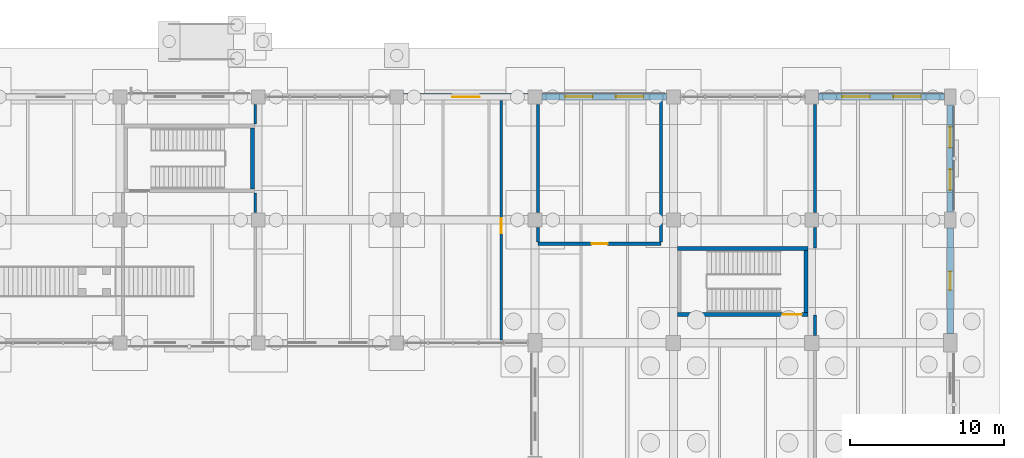
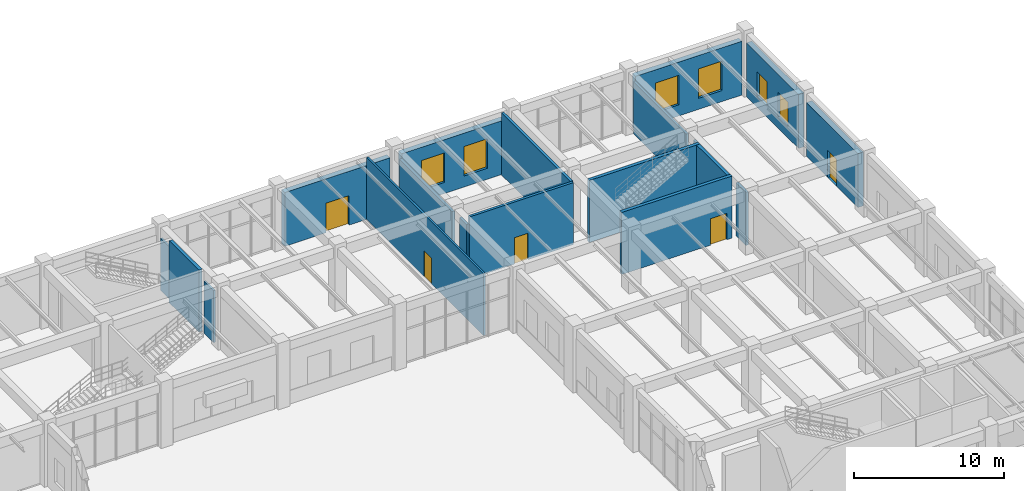
# One storey, part 100 of 121: 19 walls, 6 windows, 5 doors, 11 openings.
"""IFC4 building model written with IfcOpenShell, lengths in metres."""

from ifc_helpers import new_model, si_unit, derived_unit, direction, frame, frame_2d, origin, place, context, subcontext, project, spatial, rectangle, extrude, material, layer, layer_set, type_object, element, fill, save


model = new_model("IFC4")

# Units and contexts
model_context = context("Model", 3, precision=1e-05, world=origin(), true_north=direction((0.0, 1.0)))
body_context = subcontext(model_context, "Body", "Model", "MODEL_VIEW")
ifc_project = project(units=[si_unit("LENGTHUNIT", "METRE"), si_unit("AREAUNIT", "SQUARE_METRE"), si_unit("VOLUMEUNIT", "CUBIC_METRE"), si_unit("PLANEANGLEUNIT", "RADIAN"), si_unit("MASSUNIT", "GRAM", prefix="KILO"), derived_unit("THERMALTRANSMITTANCEUNIT", [(si_unit("MASSUNIT", "GRAM", prefix="KILO"), 1), (si_unit("TIMEUNIT", "SECOND"), -3), (si_unit("THERMODYNAMICTEMPERATUREUNIT", "KELVIN"), -1)])], contexts=[model_context])

# Site, building, storey
site_placement = place(None, origin())
site = spatial("IfcSite", under=ifc_project, at=site_placement, CompositionType="ELEMENT")
building_placement = place(site_placement, origin())
building = spatial("IfcBuilding", under=site, at=building_placement, Name="Zhenchuan Archway Interchange", CompositionType="ELEMENT")
storey_placement = place(building_placement, origin())
storey = spatial("IfcBuildingStorey", under=building, at=storey_placement, Name="L00", CompositionType="ELEMENT", Elevation=0.0)

# Wall, opening, door
ifc_material_1 = material(Name="Granite Stone Cladding", Category="masonry")
ifc_layer_1 = layer(ifc_material_1, 0.419921875)
ifc_layer_set_1 = layer_set([ifc_layer_1], Name="Granite Stone Cladding")
wall_type_1 = type_object("IfcWallType", Name="EW_GRANITE_420", PredefinedType="STANDARD", material=ifc_layer_set_1)
wall_1_placement = place(storey_placement, frame((135.447998046875, 104.0, 0.0), z_axis=(0.0, 0.0, 1.0), x_axis=(1.0, 0.0, 0.0)))
wall_1 = element("IfcWall", 1, at=wall_1_placement, inside=storey, type_object=wall_type_1, Name="Exterior wall L00-061", PredefinedType="STANDARD", context=body_context, shape_type="SweptSolid", body=[
    extrude(rectangle(XDim=8.10400390625, YDim=0.419921875, at=frame_2d((4.052001953125, 0.0))), origin(), (0.0, 0.0, 1.0), 4.3798828125),
])
opening_1_placement = place(wall_1_placement, frame((3.152099609375, 0.0, 0.0)))
opening_1 = element("IfcOpeningElement", 2, at=opening_1_placement, cuts=wall_1, Name="Opening ED-04", PredefinedType="OPENING", context=body_context, shape_type="SweptSolid", body=[
    extrude(rectangle(XDim=1.800048828125, YDim=2.39990234375, at=frame_2d((0.89990234375, 1.199951171875))), frame((0.0, 0.221923828125, 0.0), z_axis=(0.0, -1.0, 0.0), x_axis=(1.0, 0.0, 0.0)), (0.0, 0.0, 1.0), 0.44384765625),
])
ifc_material_2 = material(Name="Anodised Aluminium", Category="aluminium")
door_type_1 = type_object("IfcDoorType", Name="ED_ENT_1800x2400", OperationType="DOUBLE_DOOR_SINGLE_SWING", PredefinedType="DOOR", material=ifc_material_2)
door_1_placement = place(opening_1_placement, origin())
door_1 = element("IfcDoor", 3, at=door_1_placement, inside=storey, type_object=door_type_1, Name="Exterior entrance door L00-026", OperationType="SINGLE_SWING_LEFT", OverallHeight=2.39990234375, OverallWidth=1.800048828125, PredefinedType="DOOR", context=body_context, shape_type="SweptSolid", body=[
    extrude(rectangle(XDim=1.800048828125, YDim=2.39990234375, at=frame_2d((0.89990234375, 1.199951171875))), frame((0.0, 0.02490234375, 0.0), z_axis=(0.0, -1.0, 0.0), x_axis=(1.0, 0.0, 0.0)), (0.0, 0.0, 1.0), 0.050048828125),
])
fill(opening_1, door_1)

# Wall, openings, windows
wall_2_placement = place(storey_placement, frame((144.447998046875, 104.0, 0.0), z_axis=(0.0, 0.0, 1.0), x_axis=(1.0, 0.0, 0.0)))
wall_2 = element("IfcWall", 4, at=wall_2_placement, inside=storey, type_object=wall_type_1, Name="Exterior wall L00-062", PredefinedType="STANDARD", context=body_context, shape_type="SweptSolid", body=[
    extrude(rectangle(XDim=8.10400390625, YDim=0.419921875, at=frame_2d((4.052001953125, 0.0))), origin(), (0.0, 0.0, 1.0), 4.3798828125),
])
opening_2_placement = place(wall_2_placement, frame((1.501220703125, 0.0, 0.89990234375)))
opening_2 = element("IfcOpeningElement", 5, at=opening_2_placement, cuts=wall_2, Name="Opening W-03", PredefinedType="OPENING", context=body_context, shape_type="SweptSolid", body=[
    extrude(rectangle(XDim=1.800048828125, YDim=2.39990234375, at=frame_2d((0.89990234375, 1.199951171875))), frame((0.0, 0.221923828125, 0.0), z_axis=(0.0, -1.0, 0.0), x_axis=(1.0, 0.0, 0.0)), (0.0, 0.0, 1.0), 0.44384765625),
])
opening_3_placement = place(wall_2_placement, frame((4.802734375, 0.0, 0.89990234375)))
opening_3 = element("IfcOpeningElement", 6, at=opening_3_placement, cuts=wall_2, Name="Opening W-03", PredefinedType="OPENING", context=body_context, shape_type="SweptSolid", body=[
    extrude(rectangle(XDim=1.800048828125, YDim=2.39990234375, at=frame_2d((0.89990234375, 1.199951171875))), frame((0.0, 0.221923828125, 0.0), z_axis=(0.0, -1.0, 0.0), x_axis=(1.0, 0.0, 0.0)), (0.0, 0.0, 1.0), 0.44384765625),
])
ifc_material_3 = material(Name="Double Low-E Insulated Glazing", Category="glass")
window_type_1 = type_object("IfcWindowType", Name="WN_PUNCH_1800x2400", PartitioningType="SINGLE_PANEL", PredefinedType="WINDOW", material=ifc_material_3)
window_1_placement = place(opening_2_placement, origin())
window_1 = element("IfcWindow", 7, at=window_1_placement, inside=storey, type_object=window_type_1, Name="Window L00-0043", OverallHeight=2.39990234375, OverallWidth=1.800048828125, PartitioningType="SINGLE_PANEL", PredefinedType="WINDOW", context=body_context, shape_type="SweptSolid", body=[
    extrude(rectangle(XDim=1.800048828125, YDim=2.39990234375, at=frame_2d((0.89990234375, 1.199951171875))), frame((0.0, 0.030029296875, 0.0), z_axis=(0.0, -1.0, 0.0), x_axis=(1.0, 0.0, 0.0)), (0.0, 0.0, 1.0), 0.06005859375),
])
fill(opening_2, window_1)
window_2_placement = place(opening_3_placement, origin())
window_2 = element("IfcWindow", 8, at=window_2_placement, inside=storey, type_object=window_type_1, Name="Window L00-0044", OverallHeight=2.39990234375, OverallWidth=1.800048828125, PartitioningType="SINGLE_PANEL", PredefinedType="WINDOW", context=body_context, shape_type="SweptSolid", body=[
    extrude(rectangle(XDim=1.800048828125, YDim=2.39990234375, at=frame_2d((0.89990234375, 1.199951171875))), frame((0.0, 0.030029296875, 0.0), z_axis=(0.0, -1.0, 0.0), x_axis=(1.0, 0.0, 0.0)), (0.0, 0.0, 1.0), 0.06005859375),
])
fill(opening_3, window_2)

wall_3_placement = place(storey_placement, frame((162.447998046875, 104.0, 0.0), z_axis=(0.0, 0.0, 1.0), x_axis=(1.0, 0.0, 0.0)))
wall_3 = element("IfcWall", 9, at=wall_3_placement, inside=storey, type_object=wall_type_1, Name="Exterior wall L00-064", PredefinedType="STANDARD", context=body_context, shape_type="SweptSolid", body=[
    extrude(rectangle(XDim=8.178955078125, YDim=0.419921875, at=frame_2d((4.08935546875, 0.0))), origin(), (0.0, 0.0, 1.0), 4.3798828125),
])
opening_4_placement = place(wall_3_placement, frame((1.5263671875, 0.0, 0.89990234375)))
opening_4 = element("IfcOpeningElement", 10, at=opening_4_placement, cuts=wall_3, Name="Opening W-03", PredefinedType="OPENING", context=body_context, shape_type="SweptSolid", body=[
    extrude(rectangle(XDim=1.800048828125, YDim=2.39990234375, at=frame_2d((0.89990234375, 1.199951171875))), frame((0.0, 0.221923828125, 0.0), z_axis=(0.0, -1.0, 0.0), x_axis=(1.0, 0.0, 0.0)), (0.0, 0.0, 1.0), 0.44384765625),
])
opening_5_placement = place(wall_3_placement, frame((4.852783203125, 0.0, 0.89990234375)))
opening_5 = element("IfcOpeningElement", 11, at=opening_5_placement, cuts=wall_3, Name="Opening W-03", PredefinedType="OPENING", context=body_context, shape_type="SweptSolid", body=[
    extrude(rectangle(XDim=1.800048828125, YDim=2.39990234375, at=frame_2d((0.89990234375, 1.199951171875))), frame((0.0, 0.221923828125, 0.0), z_axis=(0.0, -1.0, 0.0), x_axis=(1.0, 0.0, 0.0)), (0.0, 0.0, 1.0), 0.44384765625),
])
window_3_placement = place(opening_4_placement, origin())
window_3 = element("IfcWindow", 12, at=window_3_placement, inside=storey, type_object=window_type_1, Name="Window L00-0045", OverallHeight=2.39990234375, OverallWidth=1.800048828125, PartitioningType="SINGLE_PANEL", PredefinedType="WINDOW", context=body_context, shape_type="SweptSolid", body=[
    extrude(rectangle(XDim=1.800048828125, YDim=2.39990234375, at=frame_2d((0.89990234375, 1.199951171875))), frame((0.0, 0.030029296875, 0.0), z_axis=(0.0, -1.0, 0.0), x_axis=(1.0, 0.0, 0.0)), (0.0, 0.0, 1.0), 0.06005859375),
])
fill(opening_4, window_3)
window_4_placement = place(opening_5_placement, origin())
window_4 = element("IfcWindow", 13, at=window_4_placement, inside=storey, type_object=window_type_1, Name="Window L00-0046", OverallHeight=2.39990234375, OverallWidth=1.800048828125, PartitioningType="SINGLE_PANEL", PredefinedType="WINDOW", context=body_context, shape_type="SweptSolid", body=[
    extrude(rectangle(XDim=1.800048828125, YDim=2.39990234375, at=frame_2d((0.89990234375, 1.199951171875))), frame((0.0, 0.030029296875, 0.0), z_axis=(0.0, -1.0, 0.0), x_axis=(1.0, 0.0, 0.0)), (0.0, 0.0, 1.0), 0.06005859375),
])
fill(opening_5, window_4)

wall_4_placement = place(storey_placement, frame((171.0, 103.47705078125, 0.0), z_axis=(0.0, 0.0, 1.0), x_axis=(0.0, -1.0, 0.0)))
wall_4 = element("IfcWall", 14, at=wall_4_placement, inside=storey, type_object=wall_type_1, Name="Exterior wall L00-065", PredefinedType="STANDARD", context=body_context, shape_type="SweptSolid", body=[
    extrude(rectangle(XDim=6.9541015625, YDim=0.419921875, at=frame_2d((3.47705078125, 0.0))), origin(), (0.0, 0.0, 1.0), 4.3798828125),
])
opening_6_placement = place(wall_4_placement, frame((1.41796875, 0.0, 0.89990234375)))
opening_6 = element("IfcOpeningElement", 15, at=opening_6_placement, cuts=wall_4, Name="Opening W-06", PredefinedType="OPENING", context=body_context, shape_type="SweptSolid", body=[
    extrude(rectangle(XDim=1.35009765625, YDim=2.0, at=frame_2d((0.675048828125, 1.0))), frame((0.0, 0.221923828125, 0.0), z_axis=(0.0, -1.0, 0.0), x_axis=(1.0, 0.0, 0.0)), (0.0, 0.0, 1.0), 0.44384765625),
])
opening_7_placement = place(wall_4_placement, frame((4.18603515625, 0.0, 0.89990234375)))
opening_7 = element("IfcOpeningElement", 16, at=opening_7_placement, cuts=wall_4, Name="Opening W-06", PredefinedType="OPENING", context=body_context, shape_type="SweptSolid", body=[
    extrude(rectangle(XDim=1.35009765625, YDim=2.0, at=frame_2d((0.675048828125, 1.0))), frame((0.0, 0.221923828125, 0.0), z_axis=(0.0, -1.0, 0.0), x_axis=(1.0, 0.0, 0.0)), (0.0, 0.0, 1.0), 0.44384765625),
])
window_type_2 = type_object("IfcWindowType", Name="WN_MOD_1350x2000", PartitioningType="SINGLE_PANEL", PredefinedType="WINDOW", material=ifc_material_3)
window_5_placement = place(opening_6_placement, origin())
window_5 = element("IfcWindow", 17, at=window_5_placement, inside=storey, type_object=window_type_2, Name="Window L00-0047", OverallHeight=2.0, OverallWidth=1.35009765625, PartitioningType="SINGLE_PANEL", PredefinedType="WINDOW", context=body_context, shape_type="SweptSolid", body=[
    extrude(rectangle(XDim=1.35009765625, YDim=2.0, at=frame_2d((0.675048828125, 1.0))), frame((0.0, 0.030029296875, 0.0), z_axis=(0.0, -1.0, 0.0), x_axis=(1.0, 0.0, 0.0)), (0.0, 0.0, 1.0), 0.06005859375),
])
fill(opening_6, window_5)
window_6_placement = place(opening_7_placement, origin())
window_6 = element("IfcWindow", 18, at=window_6_placement, inside=storey, type_object=window_type_2, Name="Window L00-0048", OverallHeight=2.0, OverallWidth=1.35009765625, PartitioningType="SINGLE_PANEL", PredefinedType="WINDOW", context=body_context, shape_type="SweptSolid", body=[
    extrude(rectangle(XDim=1.35009765625, YDim=2.0, at=frame_2d((0.675048828125, 1.0))), frame((0.0, 0.030029296875, 0.0), z_axis=(0.0, -1.0, 0.0), x_axis=(1.0, 0.0, 0.0)), (0.0, 0.0, 1.0), 0.06005859375),
])
fill(opening_7, window_6)

# Wall, opening, door
wall_5_placement = place(storey_placement, frame((171.0, 95.47705078125, 0.0), z_axis=(0.0, 0.0, 1.0), x_axis=(0.0, -1.0, 0.0)))
wall_5 = element("IfcWall", 19, at=wall_5_placement, inside=storey, type_object=wall_type_1, Name="Exterior wall L00-066", PredefinedType="STANDARD", context=body_context, shape_type="SweptSolid", body=[
    extrude(rectangle(XDim=6.879150390625, YDim=0.419921875, at=frame_2d((3.439453125, 0.0))), origin(), (0.0, 0.0, 1.0), 4.3798828125),
])
opening_8_placement = place(wall_5_placement, frame((2.839599609375, 0.0, 0.0)))
opening_8 = element("IfcOpeningElement", 20, at=opening_8_placement, cuts=wall_5, Name="Opening ED-06", PredefinedType="OPENING", context=body_context, shape_type="SweptSolid", body=[
    extrude(rectangle(XDim=1.199951171875, YDim=2.199951171875, at=frame_2d((0.60009765625, 1.10009765625))), frame((0.0, 0.221923828125, 0.0), z_axis=(0.0, -1.0, 0.0), x_axis=(1.0, 0.0, 0.0)), (0.0, 0.0, 1.0), 0.44384765625),
])
ifc_material_4 = material(Name="Painted Galvanised Steel", Category="steel")
door_type_2 = type_object("IfcDoorType", Name="ED_EXIT_1200x2200", OperationType="NOTDEFINED", PredefinedType="DOOR", material=ifc_material_4)
door_2_placement = place(opening_8_placement, origin())
door_2 = element("IfcDoor", 21, at=door_2_placement, inside=storey, type_object=door_type_2, Name="Exterior entrance door L00-027", OperationType="SINGLE_SWING_LEFT", OverallHeight=2.199951171875, OverallWidth=1.199951171875, PredefinedType="DOOR", context=body_context, shape_type="SweptSolid", body=[
    extrude(rectangle(XDim=1.199951171875, YDim=2.199951171875, at=frame_2d((0.60009765625, 1.10009765625))), frame((0.0, 0.02490234375, 0.0), z_axis=(0.0, -1.0, 0.0), x_axis=(1.0, 0.0, 0.0)), (0.0, 0.0, 1.0), 0.050048828125),
])
fill(opening_8, door_2)

ifc_material_5 = material(Name="Autoclaved Aerated Concrete Block", Category="concrete")
ifc_layer_2 = layer(ifc_material_5, 0.199951171875)
ifc_layer_set_2 = layer_set([ifc_layer_2], Name="Autoclaved Aerated Concrete Block")
wall_type_2 = type_object("IfcWallType", Name="WL_FIRE_200", PredefinedType="STANDARD", material=ifc_layer_set_2)
wall_6_placement = place(storey_placement, frame((144.199951171875, 94.449951171875, 0.0), z_axis=(0.0, 0.0, 1.0), x_axis=(1.0, 0.0, 0.0)))
wall_6 = element("IfcWall", 22, at=wall_6_placement, inside=storey, type_object=wall_type_2, Name="Emergency Standby Generator Plant Room S partition (L00)", PredefinedType="STANDARD", context=body_context, shape_type="SweptSolid", body=[
    extrude(rectangle(XDim=8.0, YDim=0.199951171875, at=frame_2d((4.0, 0.0))), origin(), (0.0, 0.0, 1.0), 5.050048828125),
])
opening_9_placement = place(wall_6_placement, frame((3.47509765625, 0.0, 0.0)))
opening_9 = element("IfcOpeningElement", 23, at=opening_9_placement, cuts=wall_6, Name="Opening FD-03", PredefinedType="OPENING", context=body_context, shape_type="SweptSolid", body=[
    extrude(rectangle(XDim=1.050048828125, YDim=2.14990234375, at=frame_2d((0.52490234375, 1.074951171875))), frame((0.0, 0.11181640625, 0.0), z_axis=(0.0, -1.0, 0.0), x_axis=(1.0, 0.0, 0.0)), (0.0, 0.0, 1.0), 0.223876953125),
])
door_type_3 = type_object("IfcDoorType", Name="DR_PLANT_FD60_S", OperationType="NOTDEFINED", PredefinedType="DOOR", material=ifc_material_4)
door_3_placement = place(opening_9_placement, origin())
door_3 = element("IfcDoor", 24, at=door_3_placement, inside=storey, type_object=door_type_3, Name="Emergency Standby Generator Plant Room door (L00)", OperationType="SINGLE_SWING_LEFT", OverallHeight=2.14990234375, OverallWidth=1.050048828125, PredefinedType="DOOR", context=body_context, shape_type="SweptSolid", body=[
    extrude(rectangle(XDim=1.050048828125, YDim=2.14990234375, at=frame_2d((0.52490234375, 1.074951171875))), frame((0.0, 0.02490234375, 0.0), z_axis=(0.0, -1.0, 0.0), x_axis=(1.0, 0.0, 0.0)), (0.0, 0.0, 1.0), 0.050048828125),
])
fill(opening_9, door_3)

# Walls
wall_7_placement = place(storey_placement, frame((144.199951171875, 94.56005859375, 0.0), z_axis=(0.0, 0.0, 1.0), x_axis=(0.0, 1.0, 0.0)))
element("IfcWall", 25, at=wall_7_placement, inside=storey, type_object=wall_type_2, Name="Emergency Standby Generator Plant Room W partition (L00)", PredefinedType="STANDARD", context=body_context, shape_type="SweptSolid", body=[
    extrude(rectangle(XDim=0.96484375, YDim=0.199951171875, at=frame_2d((0.482421875, 0.0))), origin(), (0.0, 0.0, 1.0), 4.330078125),
])
wall_8_placement = place(storey_placement, frame((144.199951171875, 96.47509765625, 0.0), z_axis=(0.0, 0.0, 1.0), x_axis=(0.0, 1.0, 0.0)))
element("IfcWall", 26, at=wall_8_placement, inside=storey, type_object=wall_type_2, Name="Emergency Standby Generator Plant Room W partition (L00)", PredefinedType="STANDARD", context=body_context, shape_type="SweptSolid", body=[
    extrude(rectangle(XDim=7.0498046875, YDim=0.199951171875, at=frame_2d((3.52490234375, 0.0))), origin(), (0.0, 0.0, 1.0), 4.22998046875),
])
wall_9_placement = place(storey_placement, frame((152.199951171875, 94.56005859375, 0.0), z_axis=(0.0, 0.0, 1.0), x_axis=(0.0, 1.0, 0.0)))
element("IfcWall", 27, at=wall_9_placement, inside=storey, type_object=wall_type_2, Name="Emergency Standby Generator Plant Room E partition (L00)", PredefinedType="STANDARD", context=body_context, shape_type="SweptSolid", body=[
    extrude(rectangle(XDim=9.219970703125, YDim=0.199951171875, at=frame_2d((4.60986328125, 0.0))), origin(), (0.0, 0.0, 1.0), 5.050048828125),
])
ifc_material_6 = material(Name="Gypsum Plasterboard", Category="gypsum")
ifc_layer_3 = layer(ifc_material_6, 0.14990234375)
ifc_layer_set_3 = layer_set([ifc_layer_3], Name="Gypsum Plasterboard")
wall_type_3 = type_object("IfcWallType", Name="WL_PART_150", PredefinedType="STANDARD", material=ifc_layer_set_3)
for number, where, z_axis, x_axis, name in (
    (28, (125.800048828125, 96.47509765625, 0.0), (0.0, 0.0, 1.0), (0.0, 1.0, 0.0), "Lost Property and Network Enquiries Room W partition (L00)"),
    (29, (125.800048828125, 102.235107421875, 0.0), (0.0, 0.0, 1.0), (0.0, 1.0, 0.0), "Lost Property and Network Enquiries Room W partition (L00)"),
):
    element("IfcWall", number, at=place(storey_placement, frame(where, z_axis=z_axis, x_axis=x_axis)), inside=storey, type_object=wall_type_3, Name=name, PredefinedType="STANDARD", context=body_context, shape_type="SweptSolid", body=[
        extrude(rectangle(XDim=1.289794921875, YDim=0.14990234375, at=frame_2d((0.64501953125, 0.0))), origin(), (0.0, 0.0, 1.0), 4.22998046875),
    ])

# Wall, opening, door
wall_10_placement = place(storey_placement, frame((141.800048828125, 88.199951171875, 0.0), z_axis=(0.0, 0.0, 1.0), x_axis=(0.0, 1.0, 0.0)))
wall_10 = element("IfcWall", 30, at=wall_10_placement, inside=storey, type_object=wall_type_3, Name="Lost Property and Network Enquiries Room E partition (L00)", PredefinedType="STANDARD", context=body_context, shape_type="SweptSolid", body=[
    extrude(rectangle(XDim=15.580078125, YDim=0.14990234375, at=frame_2d((7.7900390625, 0.0))), origin(), (0.0, 0.0, 1.0), 5.050048828125),
])
opening_10_placement = place(wall_10_placement, frame((6.9248046875, 0.0, 0.0)))
opening_10 = element("IfcOpeningElement", 31, at=opening_10_placement, cuts=wall_10, Name="Opening ID-02", PredefinedType="OPENING", context=body_context, shape_type="SweptSolid", body=[
    extrude(rectangle(XDim=1.0, YDim=2.10009765625, at=frame_2d((0.5, 1.050048828125))), frame((0.0, 0.0869140625, 0.0), z_axis=(0.0, -1.0, 0.0), x_axis=(1.0, 0.0, 0.0)), (0.0, 0.0, 1.0), 0.173828125),
])
ifc_material_7 = material(Name="Hardwood Timber", Category="wood")
door_type_4 = type_object("IfcDoorType", Name="DR_OPS_100", OperationType="NOTDEFINED", PredefinedType="DOOR", material=ifc_material_7)
door_4_placement = place(opening_10_placement, origin())
door_4 = element("IfcDoor", 32, at=door_4_placement, inside=storey, type_object=door_type_4, Name="Lost Property and Network Enquiries Room door (L00)", OperationType="SINGLE_SWING_LEFT", OverallHeight=2.10009765625, OverallWidth=1.0, PredefinedType="DOOR", context=body_context, shape_type="SweptSolid", body=[
    extrude(rectangle(XDim=1.0, YDim=2.10009765625, at=frame_2d((0.5, 1.050048828125))), frame((0.0, 0.02490234375, 0.0), z_axis=(0.0, -1.0, 0.0), x_axis=(1.0, 0.0, 0.0)), (0.0, 0.0, 1.0), 0.050048828125),
])
fill(opening_10, door_4)

# Walls
ifc_material_8 = material(Name="Concrete Block Masonry", Category="masonry")
ifc_layer_4 = layer(ifc_material_8, 0.179931640625)
ifc_layer_set_4 = layer_set([ifc_layer_4], Name="Concrete Block Masonry")
wall_type_4 = type_object("IfcWallType", Name="WL_PART_180", PredefinedType="STANDARD", material=ifc_layer_set_4)
wall_11_placement = place(storey_placement, frame((162.199951171875, 88.5, 0.0), z_axis=(0.0, 0.0, 1.0), x_axis=(0.0, 1.0, 0.0)))
element("IfcWall", 33, at=wall_11_placement, inside=storey, type_object=wall_type_4, Name="Station Facilities Response Workshop W partition (L00)", PredefinedType="STANDARD", context=body_context, shape_type="SweptSolid", body=[
    extrude(rectangle(XDim=1.324951171875, YDim=0.179931640625, at=frame_2d((0.66259765625, 0.0))), origin(), (0.0, 0.0, 1.0), 4.330078125),
])
wall_12_placement = place(storey_placement, frame((162.199951171875, 94.175048828125, 0.0), z_axis=(0.0, 0.0, 1.0), x_axis=(0.0, 1.0, 0.0)))
element("IfcWall", 34, at=wall_12_placement, inside=storey, type_object=wall_type_4, Name="Station Facilities Response Workshop W partition (L00)", PredefinedType="STANDARD", context=body_context, shape_type="SweptSolid", body=[
    extrude(rectangle(XDim=1.349853515625, YDim=0.179931640625, at=frame_2d((0.6748046875, 0.0))), origin(), (0.0, 0.0, 1.0), 4.330078125),
])
wall_13_placement = place(storey_placement, frame((162.199951171875, 96.47509765625, 0.0), z_axis=(0.0, 0.0, 1.0), x_axis=(0.0, 1.0, 0.0)))
element("IfcWall", 35, at=wall_13_placement, inside=storey, type_object=wall_type_4, Name="Station Facilities Response Workshop W partition (L00)", PredefinedType="STANDARD", context=body_context, shape_type="SweptSolid", body=[
    extrude(rectangle(XDim=7.0498046875, YDim=0.179931640625, at=frame_2d((3.52490234375, 0.0))), origin(), (0.0, 0.0, 1.0), 4.22998046875),
])

# Wall, opening, door
ifc_material_9 = material(Name="Concrete C40", Category="concrete")
ifc_layer_5 = layer(ifc_material_9, 0.25)
ifc_layer_set_5 = layer_set([ifc_layer_5], Name="Concrete C40")
wall_type_5 = type_object("IfcWallType", Name="WL_STAIR_250", PredefinedType="SHEAR", material=ifc_layer_set_5)
wall_14_placement = place(storey_placement, frame((153.2548828125, 89.85009765625, 0.0), z_axis=(0.0, 0.0, 1.0), x_axis=(1.0, 0.0, 0.0)))
wall_14 = element("IfcWall", 36, at=wall_14_placement, inside=storey, type_object=wall_type_5, Name="Stair ST-O3 south wall (L00)", PredefinedType="SHEAR", context=body_context, shape_type="SweptSolid", body=[
    extrude(rectangle(XDim=8.490234375, YDim=0.25, at=frame_2d((4.2451171875, 0.0))), origin(), (0.0, 0.0, 1.0), 5.050048828125),
])
opening_11_placement = place(wall_14_placement, frame((6.844970703125, 0.0, 0.0)))
opening_11 = element("IfcOpeningElement", 37, at=opening_11_placement, cuts=wall_14, Name="Opening FD-01", PredefinedType="OPENING", context=body_context, shape_type="SweptSolid", body=[
    extrude(rectangle(XDim=1.25, YDim=2.14990234375, at=frame_2d((0.625, 1.074951171875))), frame((0.0, 0.136962890625, 0.0), z_axis=(0.0, -1.0, 0.0), x_axis=(1.0, 0.0, 0.0)), (0.0, 0.0, 1.0), 0.27392578125),
])
door_type_5 = type_object("IfcDoorType", Name="DR_STAIR_FD90", OperationType="NOTDEFINED", PredefinedType="DOOR", material=ifc_material_4)
door_5_placement = place(opening_11_placement, frame((1.25, 0.0, 0.0), z_axis=(0.0, 0.0, 1.0), x_axis=(-1.0, 0.0, 0.0)))
door_5 = element("IfcDoor", 38, at=door_5_placement, inside=storey, type_object=door_type_5, Name="Stair ST-O3 fire door (L00)", OperationType="SINGLE_SWING_LEFT", OverallHeight=2.14990234375, OverallWidth=1.25, PredefinedType="DOOR", context=body_context, shape_type="SweptSolid", body=[
    extrude(rectangle(XDim=1.25, YDim=2.14990234375, at=frame_2d((0.625, 1.074951171875))), frame((0.0, 0.02490234375, 0.0), z_axis=(0.0, -1.0, 0.0), x_axis=(1.0, 0.0, 0.0)), (0.0, 0.0, 1.0), 0.050048828125),
])
fill(opening_11, door_5)

# Walls
wall_15_placement = place(storey_placement, frame((161.7451171875, 94.14990234375, 0.0), z_axis=(0.0, 0.0, 1.0), x_axis=(-1.0, 0.0, 0.0)))
element("IfcWall", 39, at=wall_15_placement, inside=storey, type_object=wall_type_5, Name="Stair ST-O3 north wall (L00)", PredefinedType="SHEAR", context=body_context, shape_type="SweptSolid", body=[
    extrude(rectangle(XDim=8.490234375, YDim=0.25, at=frame_2d((4.2451171875, 0.0))), origin(), (0.0, 0.0, 1.0), 5.050048828125),
])
wall_16_placement = place(storey_placement, frame((161.6201171875, 89.97509765625, 0.0), z_axis=(0.0, 0.0, 1.0), x_axis=(0.0, 1.0, 0.0)))
element("IfcWall", 40, at=wall_16_placement, inside=storey, type_object=wall_type_5, Name="Stair ST-O3 east wall (L00)", PredefinedType="SHEAR", context=body_context, shape_type="SweptSolid", body=[
    extrude(rectangle(XDim=4.0498046875, YDim=0.25, at=frame_2d((2.02490234375, 0.0))), origin(), (0.0, 0.0, 1.0), 5.050048828125),
])
wall_17_placement = place(storey_placement, frame((125.6201171875, 98.02490234375, 0.0), z_axis=(0.0, 0.0, 1.0), x_axis=(0.0, 1.0, 0.0)))
element("IfcWall", 41, at=wall_17_placement, inside=storey, type_object=wall_type_5, Name="Stair ST-O6 east wall (L00)", PredefinedType="SHEAR", context=body_context, shape_type="SweptSolid", body=[
    extrude(rectangle(XDim=3.9501953125, YDim=0.25, at=frame_2d((1.97509765625, 0.0))), origin(), (0.0, 0.0, 1.0), 5.050048828125),
])

save(model, "model.ifc")
